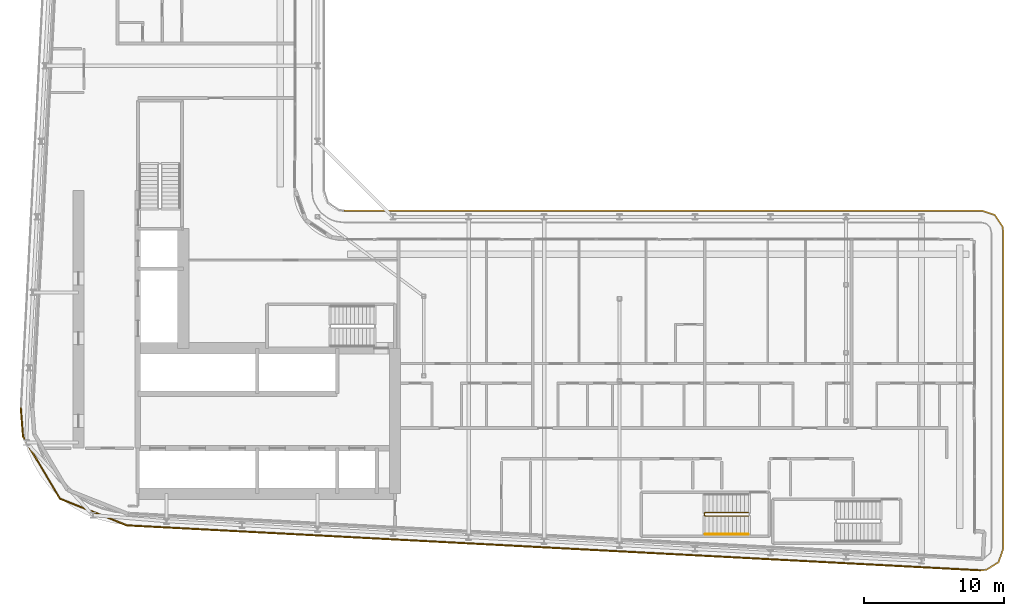
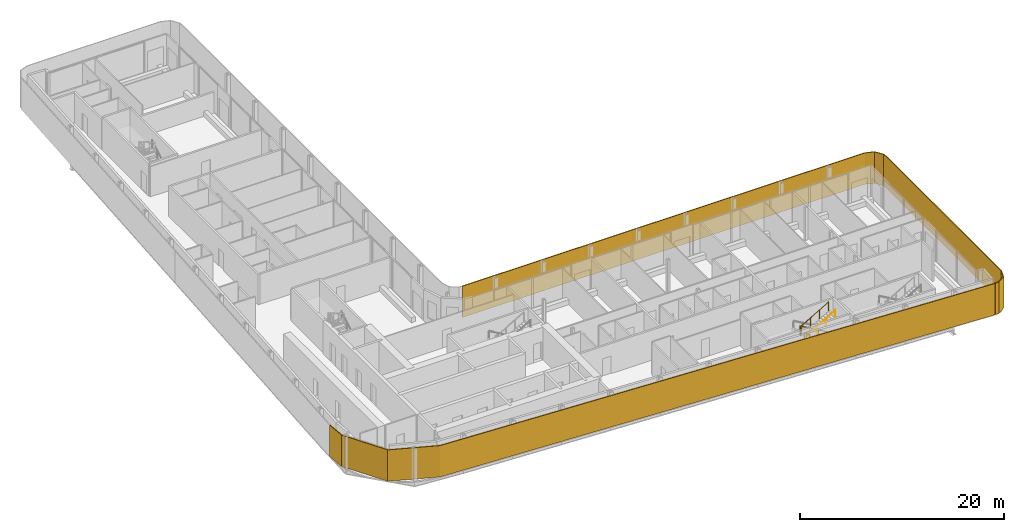
# One storey, part 25 of 29: 2 railings, 2 shading devices.
"""IFC4 building model written with IfcOpenShell, lengths in metres."""

from ifc_helpers import new_model, si_unit, direction, frame, origin, origin_2d, place, context, subcontext, project, spatial, polyline, circle, outline, extrude, material, layer, layer_set, type_object, element, save


model = new_model("IFC4")

# Units and contexts
model_context = context("Model", 3, precision=1e-05, world=origin(), true_north=direction((0.0, 1.0)))
body_context = subcontext(model_context, "Body", "Model", "MODEL_VIEW")
ifc_project = project(units=[si_unit("LENGTHUNIT", "METRE"), si_unit("AREAUNIT", "SQUARE_METRE"), si_unit("VOLUMEUNIT", "CUBIC_METRE"), si_unit("PLANEANGLEUNIT", "RADIAN"), si_unit("MASSUNIT", "GRAM", prefix="KILO")], contexts=[model_context])

# Site, building, storey
site_placement = place(None, origin())
site = spatial("IfcSite", under=ifc_project, at=site_placement, CompositionType="ELEMENT")
building_placement = place(site_placement, origin())
building = spatial("IfcBuilding", under=site, at=building_placement, Name="Kheshtan School and Residences Tower", CompositionType="ELEMENT")
storey_placement = place(building_placement, frame((0.0, 0.0, 168.199951171875)))
storey = spatial("IfcBuildingStorey", under=building, at=storey_placement, Name="L39", CompositionType="ELEMENT", Elevation=168.199951171875)

# Shading devices
ifc_material_1 = material(Name="Terracotta baguette, extruded ceramic", Category="masonry")
ifc_layer_1 = layer(ifc_material_1, 0.10009765625)
ifc_layer_set_1 = layer_set([ifc_layer_1], Name="Ledge screen, terracotta baguettes")
shading_device_type_1 = type_object("IfcShadingDeviceType", Name="Ledge screen, terracotta baguettes", PredefinedType="USERDEFINED", material=ifc_layer_set_1)
shading_device_1_placement = place(storey_placement, origin())
element("IfcShadingDevice", 1, at=shading_device_1_placement, inside=storey, type_object=shading_device_type_1, Name="Screen L39 3", ObjectType="BAGUETTE", PredefinedType="USERDEFINED", context=body_context, shape_type="SweptSolid", body=[
    extrude(outline(polyline([(95.02099609375, 20.366943359375), (33.989013671875, 23.580078125), (29.2119140625, 25.486083984375), (26.583984375, 29.906982421875), (26.419921875, 31.989013671875), (26.320068359375, 31.98095703125), (26.486083984375, 29.8759765625), (29.14306640625, 25.406005859375), (33.967041015625, 23.48095703125), (95.01611328125, 20.26708984375), (95.02099609375, 20.366943359375)])), origin(), (0.0, 0.0, 1.0), 3.75),
])
ifc_material_2 = material(Name="Terracotta lattice, extruded ceramic", Category="masonry")
ifc_layer_2 = layer(ifc_material_2, 0.10009765625)
ifc_layer_set_2 = layer_set([ifc_layer_2], Name="Loggia screen, terracotta lattice")
shading_device_type_2 = type_object("IfcShadingDeviceType", Name="Loggia screen, terracotta lattice", PredefinedType="USERDEFINED", material=ifc_layer_set_2)
shading_device_2_placement = place(storey_placement, origin())
element("IfcShadingDevice", 2, at=shading_device_2_placement, inside=storey, type_object=shading_device_type_2, Name="Screen L39 2", ObjectType="SCREEN", PredefinedType="USERDEFINED", context=body_context, shape_type="SweptSolid", body=[
    extrude(outline(polyline([(49.5, 46.0), (95.10009765625, 46.0), (96.012939453125, 45.68994140625), (96.549072265625, 44.887939453125), (96.60009765625, 44.5), (96.60009765625, 21.864990234375), (96.27001953125, 20.926025390625), (95.424072265625, 20.40087890625), (95.02099609375, 20.366943359375), (95.029052734375, 20.26708984375), (95.4560546875, 20.302978515625), (96.35302734375, 20.860107421875), (96.699951171875, 21.847900390625), (96.699951171875, 44.507080078125), (96.64501953125, 44.924072265625), (96.076904296875, 45.77392578125), (95.116943359375, 46.10009765625), (49.5, 46.10009765625), (49.5, 46.0)])), origin(), (0.0, 0.0, 1.0), 3.75),
])

# Railings
ifc_material_3 = material(Name="Stainless steel balustrade", Category="steel")
railing_type_1 = type_object("IfcRailingType", Name="Stair guard 1100", PredefinedType="GUARDRAIL", material=ifc_material_3)
railing_1_placement = place(storey_placement, frame((78.409912109375, 24.449951171875, 0.16259765625)))
element("IfcRailing", 3, at=railing_1_placement, inside=storey, type_object=railing_type_1, Name="L39 ST5 stair guard 1", PredefinedType="GUARDRAIL", context=body_context, shape_type="SweptSolid", body=[
    extrude(circle(Radius=0.02392578125, at=origin_2d()), frame((0.0, 0.0, 1.076171875), z_axis=(-0.864903211148, 0.0, 0.501938676878), x_axis=(0.0, -1.0, 0.0)), (0.0, 0.0, 1.0), 3.560791015625),
    extrude(circle(Radius=0.02392578125, at=origin_2d()), frame((-3.079833984375, 0.0, 2.86328125), z_axis=(-0.707106781187, -0.707106781187, 0.0), x_axis=(0.707106781187, -0.707106781187, 0.0)), (0.0, 0.0, 1.0), 0.07080078125),
    extrude(circle(Radius=0.02392578125, at=origin_2d()), frame((-3.1298828125, -0.050048828125, 2.86328125), z_axis=(0.0, -1.0, 0.0), x_axis=(1.0, 0.0, 0.0)), (0.0, 0.0, 1.0), 0.14990234375),
    extrude(circle(Radius=0.02392578125, at=origin_2d()), frame((-3.1298828125, -0.199951171875, 2.86328125), z_axis=(0.282227285176, -0.282227285176, 0.916894497205), x_axis=(0.707106781187, 0.707106781187, 0.0)), (0.0, 0.0, 1.0), 0.17724609375),
    extrude(circle(Radius=0.02392578125, at=origin_2d()), frame((-3.079833984375, -0.25, 3.02587890625), z_axis=(0.864873446163, 0.0, 0.501989962173), x_axis=(0.0, 1.0, 0.0)), (0.0, 0.0, 1.0), 3.56103515625),
    extrude(circle(Radius=0.02099609375, at=origin_2d()), origin(), (0.0, 0.0, 1.0), 1.052001953125),
    extrude(circle(Radius=0.02099609375, at=origin_2d()), frame((-1.026611328125, 0.0, 0.595703125)), (0.0, 0.0, 1.0), 1.052001953125),
    extrude(circle(Radius=0.02099609375, at=origin_2d()), frame((-2.05322265625, 0.0, 1.191650390625)), (0.0, 0.0, 1.0), 1.052001953125),
    extrude(circle(Radius=0.02099609375, at=origin_2d()), frame((-3.079833984375, 0.0, 1.787353515625)), (0.0, 0.0, 1.0), 1.052001953125),
    extrude(circle(Radius=0.02099609375, at=origin_2d()), frame((-3.1298828125, -0.050048828125, 1.787353515625)), (0.0, 0.0, 1.0), 1.052001953125),
    extrude(circle(Radius=0.02099609375, at=origin_2d()), frame((-3.1298828125, -0.199951171875, 1.787353515625)), (0.0, 0.0, 1.0), 1.052001953125),
    extrude(circle(Radius=0.02099609375, at=origin_2d()), frame((-3.079833984375, -0.25, 1.949951171875)), (0.0, 0.0, 1.0), 1.052001953125),
    extrude(circle(Radius=0.02099609375, at=origin_2d()), frame((-2.05322265625, -0.25, 2.5458984375)), (0.0, 0.0, 1.0), 1.052001953125),
    extrude(circle(Radius=0.02099609375, at=origin_2d()), frame((-1.026611328125, -0.25, 3.1416015625)), (0.0, 0.0, 1.0), 1.052001953125),
    extrude(circle(Radius=0.02099609375, at=origin_2d()), frame((0.0, -0.25, 3.737548828125)), (0.0, 0.0, 1.0), 1.052001953125),
])
ifc_material_4 = material(Name="Stainless steel handrail", Category="steel")
railing_type_2 = type_object("IfcRailingType", Name="Stair handrail 900", PredefinedType="HANDRAIL", material=ifc_material_4)
railing_2_placement = place(storey_placement, frame((75.330078125, 22.89990234375, 2.112548828125)))
element("IfcRailing", 4, at=railing_2_placement, inside=storey, type_object=railing_type_2, Name="L39 ST5 stair handrail 2", PredefinedType="HANDRAIL", context=body_context, shape_type="SweptSolid", body=[
    extrude(circle(Radius=0.02392578125, at=origin_2d()), frame((0.0, 0.0, 0.8759765625), z_axis=(0.864873446163, 0.0, 0.501989962173), x_axis=(0.0, 1.0, 0.0)), (0.0, 0.0, 1.0), 3.56103515625),
    extrude(circle(Radius=0.02099609375, at=origin_2d()), origin(), (0.0, 0.0, 1.0), 0.851806640625),
    extrude(circle(Radius=0.02099609375, at=origin_2d()), frame((1.026611328125, 0.0, 0.595947265625)), (0.0, 0.0, 1.0), 0.851806640625),
    extrude(circle(Radius=0.02099609375, at=origin_2d()), frame((2.05322265625, 0.0, 1.191650390625)), (0.0, 0.0, 1.0), 0.851806640625),
    extrude(circle(Radius=0.02099609375, at=origin_2d()), frame((3.079833984375, 0.0, 1.78759765625)), (0.0, 0.0, 1.0), 0.851806640625),
])

save(model, "model.ifc")
